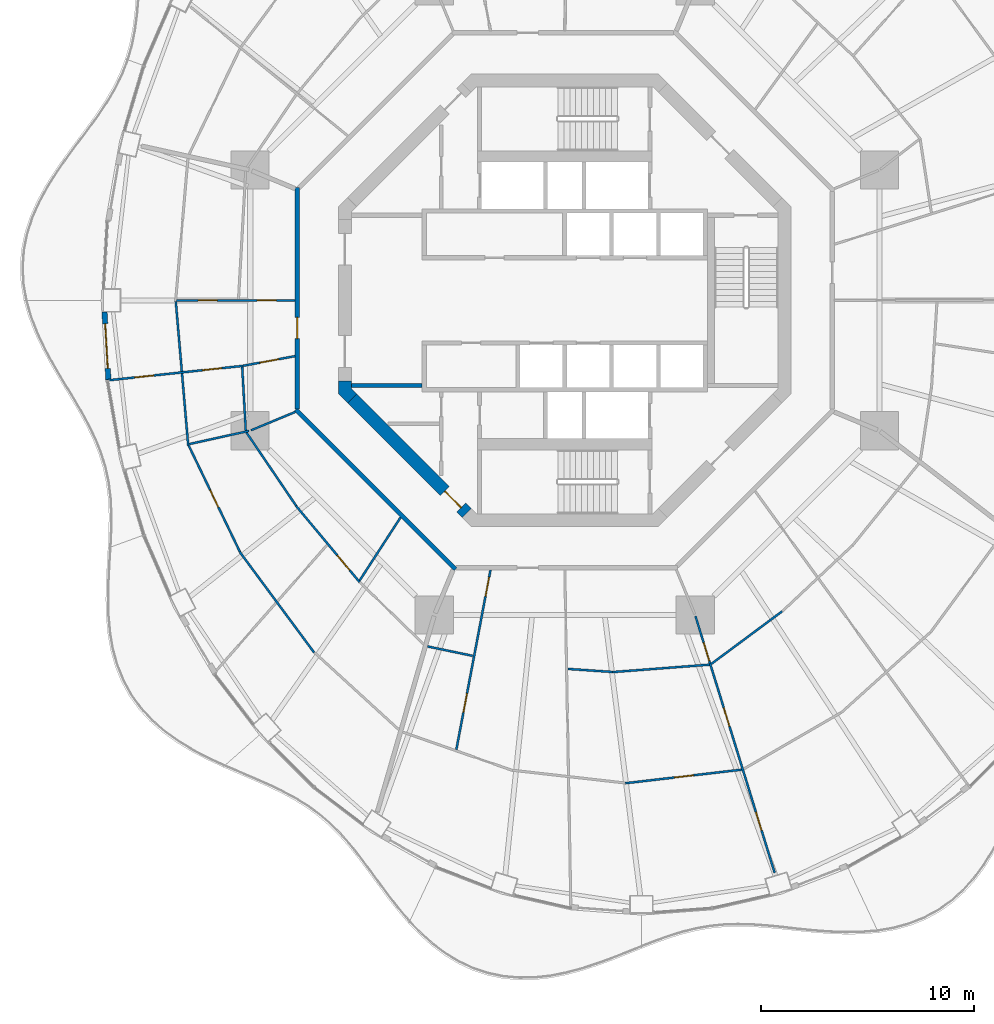
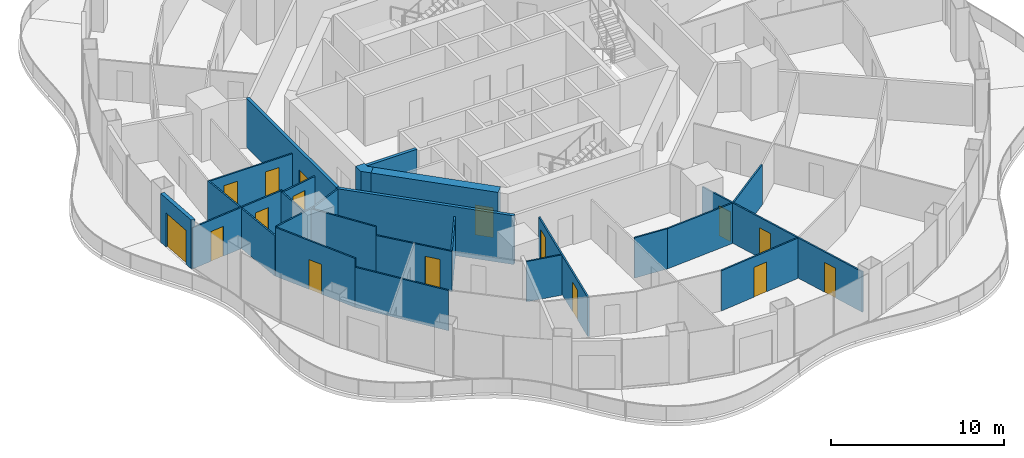
# One storey, part 11 of 19: 25 walls, 16 doors, 16 openings.
"""IFC4 building model written with IfcOpenShell, lengths in metres."""

from ifc_helpers import new_model, si_unit, direction, frame, frame_2d, origin, place, context, subcontext, project, spatial, polyline, rectangle, outline, extrude, material, layer, layer_set, type_object, element, fill, save


model = new_model("IFC4")

# Units and contexts
model_context = context("Model", 3, precision=1e-05, world=origin(), true_north=direction((0.0, 1.0)))
body_context = subcontext(model_context, "Body", "Model", "MODEL_VIEW")
ifc_project = project(units=[si_unit("LENGTHUNIT", "METRE"), si_unit("AREAUNIT", "SQUARE_METRE"), si_unit("VOLUMEUNIT", "CUBIC_METRE"), si_unit("PLANEANGLEUNIT", "RADIAN"), si_unit("MASSUNIT", "GRAM", prefix="KILO")], contexts=[model_context])

# Site, building, storey
site_placement = place(None, origin())
site = spatial("IfcSite", under=ifc_project, at=site_placement, CompositionType="ELEMENT")
building_placement = place(site_placement, origin())
building = spatial("IfcBuilding", under=site, at=building_placement, Name="Nagisa Residences", CompositionType="ELEMENT")
storey_placement = place(building_placement, frame((0.0, 0.0, 169.60009765625)))
storey = spatial("IfcBuildingStorey", under=building, at=storey_placement, Name="L42", CompositionType="ELEMENT", Elevation=169.60009765625)

# Wall, opening, door
ifc_material_1 = material(Name="Gypsum board on steel studs", Category="steel")
ifc_layer_1 = layer(ifc_material_1, 0.199951171875)
ifc_layer_set_1 = layer_set([ifc_layer_1], Name="Apartment entry wall EI60 200")
wall_type_1 = type_object("IfcWallType", Name="Apartment entry wall EI60 200", PredefinedType="PARTITIONING", material=ifc_layer_set_1)
wall_1_placement = place(storey_placement, frame((-12.564697265625, 5.304443359375, 0.0), z_axis=(0.0, 0.0, 1.0), x_axis=(0.0, -1.0, 0.0)))
wall_1 = element("IfcWall", 1, at=wall_1_placement, inside=storey, type_object=wall_type_1, Name="wall:L42:u12", PredefinedType="PARTITIONING", context=body_context, shape_type="SweptSolid", body=[
    extrude(rectangle(XDim=10.408935546875, YDim=0.199951171875, at=frame_2d((5.20458984375, 0.0))), origin(), (0.0, 0.0, 1.0), 3.43994140625),
])
opening_1_placement = place(wall_1_placement, frame((6.105712890625, 0.0, 0.0)))
opening_1 = element("IfcOpeningElement", 2, at=opening_1_placement, cuts=wall_1, Name="Opening L42-U28", PredefinedType="OPENING", context=body_context, shape_type="SweptSolid", body=[
    extrude(rectangle(XDim=1.0, YDim=2.10009765625, at=frame_2d((0.5, 1.050048828125))), frame((0.0, 0.10986328125, 0.0), z_axis=(0.0, -1.0, 0.0), x_axis=(1.0, 0.0, 0.0)), (0.0, 0.0, 1.0), 0.219970703125),
])
ifc_material_2 = material(Name="Timber fire door set", Category="wood")
door_type_1 = type_object("IfcDoorType", Name="Apartment entry door FD30S 1000x2100", OperationType="NOTDEFINED", PredefinedType="DOOR", material=ifc_material_2)
door_1_placement = place(opening_1_placement, frame((1.0, 0.0, 0.0), x_axis=(-1.0, 0.0, 0.0)))
door_1 = element("IfcDoor", 3, at=door_1_placement, inside=storey, type_object=door_type_1, Name="Entry door, Apartment 42C", OperationType="SINGLE_SWING_LEFT", OverallHeight=2.10009765625, OverallWidth=1.0, PredefinedType="DOOR", context=body_context, shape_type="SweptSolid", body=[
    extrude(rectangle(XDim=1.0, YDim=2.10009765625, at=frame_2d((0.5, 1.050048828125))), frame((0.0, 0.02490234375, 0.0), z_axis=(0.0, -1.0, 0.0), x_axis=(1.0, 0.0, 0.0)), (0.0, 0.0, 1.0), 0.050048828125),
])
fill(opening_1, door_1)

# Wall
wall_2_placement = place(storey_placement, frame((-12.635498046875, -5.1337890625, 0.0), z_axis=(0.0, 0.0, 1.0), x_axis=(0.707106781187, -0.707106781187, 0.0)))
element("IfcWall", 4, at=wall_2_placement, inside=storey, type_object=wall_type_1, Name="wall:L42:u13", PredefinedType="PARTITIONING", context=body_context, shape_type="SweptSolid", body=[
    extrude(rectangle(XDim=10.609130859375, YDim=0.199951171875, at=frame_2d((5.3046875, 0.0))), origin(), (0.0, 0.0, 1.0), 3.43994140625),
])

# Wall, openings, doors
ifc_material_3 = material(Name="Gypsum board on steel studs", Category="steel")
ifc_layer_2 = layer(ifc_material_3, 0.10009765625)
ifc_layer_set_2 = layer_set([ifc_layer_2], Name="Apartment partition 100")
wall_type_2 = type_object("IfcWallType", Name="Apartment partition 100", PredefinedType="PARTITIONING", material=ifc_layer_set_2)
wall_3_placement = place(storey_placement, frame((-12.664794921875, 0.0, 0.0), z_axis=(0.0, 0.0, 1.0), x_axis=(-1.0, 0.0, 0.0)))
wall_3 = element("IfcWall", 5, at=wall_3_placement, inside=storey, type_object=wall_type_2, Name="wall:L42:u55", PredefinedType="PARTITIONING", context=body_context, shape_type="SweptSolid", body=[
    extrude(rectangle(XDim=5.560302734375, YDim=0.10009765625, at=frame_2d((2.7802734375, 0.0))), origin(), (0.0, 0.0, 1.0), 2.755859375),
])
opening_2_placement = place(wall_3_placement, frame((0.881591796875, 0.0, 0.0)))
opening_2 = element("IfcOpeningElement", 6, at=opening_2_placement, cuts=wall_3, Name="Opening L42-U29", PredefinedType="OPENING", context=body_context, shape_type="SweptSolid", body=[
    extrude(rectangle(XDim=0.89990234375, YDim=2.10009765625, at=frame_2d((0.449951171875, 1.050048828125))), frame((0.0, 0.06005859375, 0.0), z_axis=(0.0, -1.0, 0.0), x_axis=(1.0, 0.0, 0.0)), (0.0, 0.0, 1.0), 0.1201171875),
])
opening_3_placement = place(wall_3_placement, frame((3.66162109375, 0.0, 0.0)))
opening_3 = element("IfcOpeningElement", 7, at=opening_3_placement, cuts=wall_3, Name="Opening L42-U31", PredefinedType="OPENING", context=body_context, shape_type="SweptSolid", body=[
    extrude(rectangle(XDim=0.89990234375, YDim=2.10009765625, at=frame_2d((0.449951171875, 1.050048828125))), frame((0.0, 0.06005859375, 0.0), z_axis=(0.0, -1.0, 0.0), x_axis=(1.0, 0.0, 0.0)), (0.0, 0.0, 1.0), 0.1201171875),
])
ifc_material_4 = material(Name="Timber door set", Category="wood")
door_type_2 = type_object("IfcDoorType", Name="Apartment door 900x2100", OperationType="NOTDEFINED", PredefinedType="DOOR", material=ifc_material_4)
door_2_placement = place(opening_2_placement, frame((0.89990234375, 0.0, 0.0), x_axis=(-1.0, 0.0, 0.0)))
door_2 = element("IfcDoor", 8, at=door_2_placement, inside=storey, type_object=door_type_2, Name="Door to laundry, Apartment 42C", OperationType="SINGLE_SWING_RIGHT", OverallHeight=2.10009765625, OverallWidth=0.89990234375, PredefinedType="DOOR", context=body_context, shape_type="SweptSolid", body=[
    extrude(rectangle(XDim=0.89990234375, YDim=2.10009765625, at=frame_2d((0.449951171875, 1.050048828125))), frame((0.0, 0.02490234375, 0.0), z_axis=(0.0, -1.0, 0.0), x_axis=(1.0, 0.0, 0.0)), (0.0, 0.0, 1.0), 0.050048828125),
])
fill(opening_2, door_2)
door_3_placement = place(opening_3_placement, frame((0.89990234375, 0.0, 0.0), x_axis=(-1.0, 0.0, 0.0)))
door_3 = element("IfcDoor", 9, at=door_3_placement, inside=storey, type_object=door_type_2, Name="Door to study, Apartment 42C", OperationType="SINGLE_SWING_RIGHT", OverallHeight=2.10009765625, OverallWidth=0.89990234375, PredefinedType="DOOR", context=body_context, shape_type="SweptSolid", body=[
    extrude(rectangle(XDim=0.89990234375, YDim=2.10009765625, at=frame_2d((0.449951171875, 1.050048828125))), frame((0.0, 0.02490234375, 0.0), z_axis=(0.0, -1.0, 0.0), x_axis=(1.0, 0.0, 0.0)), (0.0, 0.0, 1.0), 0.050048828125),
])
fill(opening_3, door_3)

# Wall
wall_4_placement = place(storey_placement, frame((-18.270751953125, -0.0498046875, 0.0), z_axis=(0.0, 0.0, 1.0), x_axis=(0.086018199227, -0.996293565874, 0.0)))
element("IfcWall", 10, at=wall_4_placement, inside=storey, type_object=wall_type_2, Name="wall:L42:u56", PredefinedType="PARTITIONING", context=body_context, shape_type="SweptSolid", body=[
    extrude(rectangle(XDim=6.7890625, YDim=0.10009765625, at=frame_2d((3.39453125, 0.0))), origin(), (0.0, 0.0, 1.0), 2.8369140625),
])

# Wall, opening, door
wall_5_placement = place(storey_placement, frame((-12.6630859375, -2.62060546875, 0.0), z_axis=(0.0, 0.0, 1.0), x_axis=(-0.983176884312, -0.182655999505, 0.0)))
wall_5 = element("IfcWall", 11, at=wall_5_placement, inside=storey, type_object=wall_type_2, Name="wall:L42:u57", PredefinedType="PARTITIONING", context=body_context, shape_type="SweptSolid", body=[
    extrude(rectangle(XDim=2.4833984375, YDim=0.10009765625, at=frame_2d((1.24169921875, 0.0))), origin(), (0.0, 0.0, 1.0), 2.755859375),
])
opening_4_placement = place(wall_5_placement, frame((0.791748046875, 0.0, 0.0)))
opening_4 = element("IfcOpeningElement", 12, at=opening_4_placement, cuts=wall_5, Name="Opening L42-U30", PredefinedType="OPENING", context=body_context, shape_type="SweptSolid", body=[
    extrude(rectangle(XDim=0.89990234375, YDim=2.10009765625, at=frame_2d((0.449951171875, 1.050048828125))), frame((0.0, 0.06005859375, 0.0), z_axis=(0.0, -1.0, 0.0), x_axis=(1.0, 0.0, 0.0)), (0.0, 0.0, 1.0), 0.1201171875),
])
door_4_placement = place(opening_4_placement, origin())
door_4 = element("IfcDoor", 13, at=door_4_placement, inside=storey, type_object=door_type_2, Name="Door to family bathroom, Apartment 42C", OperationType="SINGLE_SWING_RIGHT", OverallHeight=2.10009765625, OverallWidth=0.89990234375, PredefinedType="DOOR", context=body_context, shape_type="SweptSolid", body=[
    extrude(rectangle(XDim=0.89990234375, YDim=2.10009765625, at=frame_2d((0.449951171875, 1.050048828125))), frame((0.0, 0.02490234375, 0.0), z_axis=(0.0, -1.0, 0.0), x_axis=(1.0, 0.0, 0.0)), (0.0, 0.0, 1.0), 0.050048828125),
])
fill(opening_4, door_4)

# Wall, openings, doors
wall_6_placement = place(storey_placement, frame((-15.104248046875, -3.077880859375, 0.0), z_axis=(0.0, 0.0, 1.0), x_axis=(-0.994316167803, -0.106467640365, 0.0)))
wall_6 = element("IfcWall", 14, at=wall_6_placement, inside=storey, type_object=wall_type_2, Name="wall:L42:u58", PredefinedType="PARTITIONING", context=body_context, shape_type="SweptSolid", body=[
    extrude(rectangle(XDim=6.450439453125, YDim=0.10009765625, at=frame_2d((3.22509765625, 0.0))), origin(), (0.0, 0.0, 1.0), 2.90478515625),
])
opening_5_placement = place(wall_6_placement, frame((1.0224609375, 0.0, 0.0)))
opening_5 = element("IfcOpeningElement", 15, at=opening_5_placement, cuts=wall_6, Name="Opening L42-U32", PredefinedType="OPENING", context=body_context, shape_type="SweptSolid", body=[
    extrude(rectangle(XDim=0.89990234375, YDim=2.10009765625, at=frame_2d((0.449951171875, 1.050048828125))), frame((0.0, 0.06005859375, 0.0), z_axis=(0.0, -1.0, 0.0), x_axis=(1.0, 0.0, 0.0)), (0.0, 0.0, 1.0), 0.1201171875),
])
opening_6_placement = place(wall_6_placement, frame((4.222900390625, 0.0, 0.0)))
opening_6 = element("IfcOpeningElement", 16, at=opening_6_placement, cuts=wall_6, Name="Opening L42-U34", PredefinedType="OPENING", context=body_context, shape_type="SweptSolid", body=[
    extrude(rectangle(XDim=0.89990234375, YDim=2.10009765625, at=frame_2d((0.449951171875, 1.050048828125))), frame((0.0, 0.06005859375, 0.0), z_axis=(0.0, -1.0, 0.0), x_axis=(1.0, 0.0, 0.0)), (0.0, 0.0, 1.0), 0.1201171875),
])
door_5_placement = place(opening_5_placement, origin())
door_5 = element("IfcDoor", 17, at=door_5_placement, inside=storey, type_object=door_type_2, Name="Door to family bathroom, Apartment 42C", OperationType="SINGLE_SWING_RIGHT", OverallHeight=2.10009765625, OverallWidth=0.89990234375, PredefinedType="DOOR", context=body_context, shape_type="SweptSolid", body=[
    extrude(rectangle(XDim=0.89990234375, YDim=2.10009765625, at=frame_2d((0.449951171875, 1.050048828125))), frame((0.0, 0.02490234375, 0.0), z_axis=(0.0, -1.0, 0.0), x_axis=(1.0, 0.0, 0.0)), (0.0, 0.0, 1.0), 0.050048828125),
])
fill(opening_5, door_5)
door_6_placement = place(opening_6_placement, origin())
door_6 = element("IfcDoor", 18, at=door_6_placement, inside=storey, type_object=door_type_2, Name="Door to living room, Apartment 42C", OperationType="SINGLE_SWING_RIGHT", OverallHeight=2.10009765625, OverallWidth=0.89990234375, PredefinedType="DOOR", context=body_context, shape_type="SweptSolid", body=[
    extrude(rectangle(XDim=0.89990234375, YDim=2.10009765625, at=frame_2d((0.449951171875, 1.050048828125))), frame((0.0, 0.02490234375, 0.0), z_axis=(0.0, -1.0, 0.0), x_axis=(1.0, 0.0, 0.0)), (0.0, 0.0, 1.0), 0.050048828125),
])
fill(opening_6, door_6)

# Walls
wall_7_placement = place(storey_placement, frame((-15.151123046875, -3.13330078125, 0.0), z_axis=(0.0, 0.0, 1.0), x_axis=(0.05637501378, -0.998409664327, 0.0)))
element("IfcWall", 19, at=wall_7_placement, inside=storey, type_object=wall_type_2, Name="wall:L42:u59", PredefinedType="PARTITIONING", context=body_context, shape_type="SweptSolid", body=[
    extrude(rectangle(XDim=2.988037109375, YDim=0.10009765625, at=frame_2d((1.494140625, 0.0))), origin(), (0.0, 0.0, 1.0), 2.8369140625),
])
wall_8_placement = place(storey_placement, frame((-12.6572265625, -5.24267578125, 0.0), z_axis=(0.0, 0.0, 1.0), x_axis=(-0.923848837015, -0.382757529444, 0.0)))
element("IfcWall", 20, at=wall_8_placement, inside=storey, type_object=wall_type_2, Name="wall:L42:u60", PredefinedType="PARTITIONING", context=body_context, shape_type="SweptSolid", body=[
    extrude(rectangle(XDim=2.249755859375, YDim=0.10009765625, at=frame_2d((1.125, 0.0))), origin(), (0.0, 0.0, 1.0), 3.43994140625),
])
wall_9_placement = place(storey_placement, frame((-14.830810546875, -6.133544921875, 0.0), z_axis=(0.0, 0.0, 1.0), x_axis=(-0.976560749847, -0.215241961191, 0.0)))
element("IfcWall", 21, at=wall_9_placement, inside=storey, type_object=wall_type_2, Name="wall:L42:u61", PredefinedType="PARTITIONING", context=body_context, shape_type="SweptSolid", body=[
    extrude(rectangle(XDim=2.878662109375, YDim=0.10009765625, at=frame_2d((1.439453125, 0.0))), origin(), (0.0, 0.0, 1.0), 3.43994140625),
])
wall_10_placement = place(storey_placement, frame((-14.951904296875, -6.2080078125, 0.0), z_axis=(0.0, 0.0, 1.0), x_axis=(0.561064907171, -0.827771810308, 0.0)))
element("IfcWall", 22, at=wall_10_placement, inside=storey, type_object=wall_type_2, Name="wall:L42:u62", PredefinedType="PARTITIONING", context=body_context, shape_type="SweptSolid", body=[
    extrude(rectangle(XDim=4.15869140625, YDim=0.10009765625, at=frame_2d((2.079345703125, 0.0))), origin(), (0.0, 0.0, 1.0), 3.43994140625),
])

# Wall, opening, door
wall_11_placement = place(storey_placement, frame((-17.669189453125, -6.80908203125, 0.0), z_axis=(0.0, 0.0, 1.0), x_axis=(0.434040130629, -0.900893536997, 0.0)))
wall_11 = element("IfcWall", 23, at=wall_11_placement, inside=storey, type_object=wall_type_2, Name="wall:L42:u63", PredefinedType="PARTITIONING", context=body_context, shape_type="SweptSolid", body=[
    extrude(rectangle(XDim=5.557861328125, YDim=0.10009765625, at=frame_2d((2.77880859375, 0.0))), origin(), (0.0, 0.0, 1.0), 3.43994140625),
])
opening_7_placement = place(wall_11_placement, frame((2.3291015625, 0.0, 0.0)))
opening_7 = element("IfcOpeningElement", 24, at=opening_7_placement, cuts=wall_11, Name="Opening L42-U36", PredefinedType="OPENING", context=body_context, shape_type="SweptSolid", body=[
    extrude(rectangle(XDim=0.89990234375, YDim=2.10009765625, at=frame_2d((0.449951171875, 1.050048828125))), frame((0.0, 0.06005859375, 0.0), z_axis=(0.0, -1.0, 0.0), x_axis=(1.0, 0.0, 0.0)), (0.0, 0.0, 1.0), 0.1201171875),
])
door_7_placement = place(opening_7_placement, origin())
door_7 = element("IfcDoor", 25, at=door_7_placement, inside=storey, type_object=door_type_2, Name="Door to study, Apartment 42C", OperationType="SINGLE_SWING_RIGHT", OverallHeight=2.10009765625, OverallWidth=0.89990234375, PredefinedType="DOOR", context=body_context, shape_type="SweptSolid", body=[
    extrude(rectangle(XDim=0.89990234375, YDim=2.10009765625, at=frame_2d((0.449951171875, 1.050048828125))), frame((0.0, 0.02490234375, 0.0), z_axis=(0.0, -1.0, 0.0), x_axis=(1.0, 0.0, 0.0)), (0.0, 0.0, 1.0), 0.050048828125),
])
fill(opening_7, door_7)

wall_12_placement = place(storey_placement, frame((-12.62255859375, -9.6533203125, 0.0), z_axis=(0.0, 0.0, 1.0), x_axis=(0.640297481347, -0.768127030758, 0.0)))
wall_12 = element("IfcWall", 26, at=wall_12_placement, inside=storey, type_object=wall_type_2, Name="wall:L42:u64", PredefinedType="PARTITIONING", context=body_context, shape_type="SweptSolid", body=[
    extrude(rectangle(XDim=4.671630859375, YDim=0.10009765625, at=frame_2d((2.3359375, 0.0))), origin(), (0.0, 0.0, 1.0), 2.8369140625),
])
opening_8_placement = place(wall_12_placement, frame((3.028564453125, 0.0, 0.0)))
opening_8 = element("IfcOpeningElement", 27, at=opening_8_placement, cuts=wall_12, Name="Opening L42-U38", PredefinedType="OPENING", context=body_context, shape_type="SweptSolid", body=[
    extrude(rectangle(XDim=0.89990234375, YDim=2.10009765625, at=frame_2d((0.449951171875, 1.050048828125))), frame((0.0, 0.06005859375, 0.0), z_axis=(0.0, -1.0, 0.0), x_axis=(1.0, 0.0, 0.0)), (0.0, 0.0, 1.0), 0.1201171875),
])
door_8_placement = place(opening_8_placement, origin())
door_8 = element("IfcDoor", 28, at=door_8_placement, inside=storey, type_object=door_type_2, Name="Door to store, Apartment 42C", OperationType="SINGLE_SWING_RIGHT", OverallHeight=2.10009765625, OverallWidth=0.89990234375, PredefinedType="DOOR", context=body_context, shape_type="SweptSolid", body=[
    extrude(rectangle(XDim=0.89990234375, YDim=2.10009765625, at=frame_2d((0.449951171875, 1.050048828125))), frame((0.0, 0.02490234375, 0.0), z_axis=(0.0, -1.0, 0.0), x_axis=(1.0, 0.0, 0.0)), (0.0, 0.0, 1.0), 0.050048828125),
])
fill(opening_8, door_8)

# Walls
wall_13_placement = place(storey_placement, frame((-15.264892578125, -11.821044921875, 0.0), z_axis=(0.0, 0.0, 1.0), x_axis=(0.594711348772, -0.803939308432, 0.0)))
element("IfcWall", 29, at=wall_13_placement, inside=storey, type_object=wall_type_2, Name="wall:L42:u65", PredefinedType="PARTITIONING", context=body_context, shape_type="SweptSolid", body=[
    extrude(rectangle(XDim=5.87158203125, YDim=0.10009765625, at=frame_2d((2.935791015625, 0.0))), origin(), (0.0, 0.0, 1.0), 2.8369140625),
])
wall_14_placement = place(storey_placement, frame((-7.71240234375, -10.1953125, 0.0), z_axis=(0.0, 0.0, 1.0), x_axis=(-0.544170086001, -0.838974920663, 0.0)))
element("IfcWall", 30, at=wall_14_placement, inside=storey, type_object=wall_type_2, Name="wall:L42:u67", PredefinedType="PARTITIONING", context=body_context, shape_type="SweptSolid", body=[
    extrude(rectangle(XDim=3.535400390625, YDim=0.10009765625, at=frame_2d((1.767578125, 0.0))), origin(), (0.0, 0.0, 1.0), 2.755859375),
])
wall_15_placement = place(storey_placement, frame((-6.446533203125, -16.25634765625, 0.0), z_axis=(0.0, 0.0, 1.0), x_axis=(0.978909151576, -0.204296042448, 0.0)))
element("IfcWall", 31, at=wall_15_placement, inside=storey, type_object=wall_type_2, Name="wall:L42:u70", PredefinedType="PARTITIONING", context=body_context, shape_type="SweptSolid", body=[
    extrude(rectangle(XDim=2.167724609375, YDim=0.10009765625, at=frame_2d((1.083984375, 0.0))), origin(), (0.0, 0.0, 1.0), 2.8369140625),
])

# Wall, openings, doors
wall_16_placement = place(storey_placement, frame((-3.48828125, -12.6630859375, 0.0), z_axis=(0.0, 0.0, 1.0), x_axis=(-0.186783185485, -0.982401161247, 0.0)))
wall_16 = element("IfcWall", 32, at=wall_16_placement, inside=storey, type_object=wall_type_2, Name="wall:L42:u72", PredefinedType="PARTITIONING", context=body_context, shape_type="SweptSolid", body=[
    extrude(rectangle(XDim=8.595458984375, YDim=0.10009765625, at=frame_2d((4.2978515625, 0.0))), origin(), (0.0, 0.0, 1.0), 2.755859375),
])
opening_9_placement = place(wall_16_placement, frame((0.35009765625, 0.0, 0.0)))
opening_9 = element("IfcOpeningElement", 33, at=opening_9_placement, cuts=wall_16, Name="Opening L42-U41", PredefinedType="OPENING", context=body_context, shape_type="SweptSolid", body=[
    extrude(rectangle(XDim=0.89990234375, YDim=2.10009765625, at=frame_2d((0.449951171875, 1.050048828125))), frame((0.0, 0.06005859375, 0.0), z_axis=(0.0, -1.0, 0.0), x_axis=(1.0, 0.0, 0.0)), (0.0, 0.0, 1.0), 0.1201171875),
])
opening_10_placement = place(wall_16_placement, frame((5.908447265625, 0.0, 0.0)))
opening_10 = element("IfcOpeningElement", 34, at=opening_10_placement, cuts=wall_16, Name="Opening L42-U45", PredefinedType="OPENING", context=body_context, shape_type="SweptSolid", body=[
    extrude(rectangle(XDim=0.89990234375, YDim=2.10009765625, at=frame_2d((0.449951171875, 1.050048828125))), frame((0.0, 0.06005859375, 0.0), z_axis=(0.0, -1.0, 0.0), x_axis=(1.0, 0.0, 0.0)), (0.0, 0.0, 1.0), 0.1201171875),
])
door_9_placement = place(opening_9_placement, frame((0.89990234375, 0.0, 0.0), x_axis=(-1.0, 0.0, 0.0)))
door_9 = element("IfcDoor", 35, at=door_9_placement, inside=storey, type_object=door_type_2, Name="Door to family bathroom, Apartment 42D", OperationType="SINGLE_SWING_RIGHT", OverallHeight=2.10009765625, OverallWidth=0.89990234375, PredefinedType="DOOR", context=body_context, shape_type="SweptSolid", body=[
    extrude(rectangle(XDim=0.89990234375, YDim=2.10009765625, at=frame_2d((0.449951171875, 1.050048828125))), frame((0.0, 0.02490234375, 0.0), z_axis=(0.0, -1.0, 0.0), x_axis=(1.0, 0.0, 0.0)), (0.0, 0.0, 1.0), 0.050048828125),
])
fill(opening_9, door_9)
door_10_placement = place(opening_10_placement, frame((0.89990234375, 0.0, 0.0), x_axis=(-1.0, 0.0, 0.0)))
door_10 = element("IfcDoor", 36, at=door_10_placement, inside=storey, type_object=door_type_2, Name="Door to family bathroom, Apartment 42D", OperationType="SINGLE_SWING_RIGHT", OverallHeight=2.10009765625, OverallWidth=0.89990234375, PredefinedType="DOOR", context=body_context, shape_type="SweptSolid", body=[
    extrude(rectangle(XDim=0.89990234375, YDim=2.10009765625, at=frame_2d((0.449951171875, 1.050048828125))), frame((0.0, 0.02490234375, 0.0), z_axis=(0.0, -1.0, 0.0), x_axis=(1.0, 0.0, 0.0)), (0.0, 0.0, 1.0), 0.050048828125),
])
fill(opening_10, door_10)

# Walls
wall_17_placement = place(storey_placement, frame((0.144775390625, -17.313720703125, 0.0), z_axis=(0.0, 0.0, 1.0), x_axis=(0.997756833447, -0.06694252243, 0.0)))
element("IfcWall", 37, at=wall_17_placement, inside=storey, type_object=wall_type_2, Name="wall:L42:u75", PredefinedType="PARTITIONING", context=body_context, shape_type="SweptSolid", body=[
    extrude(rectangle(XDim=2.104248046875, YDim=0.10009765625, at=frame_2d((1.05224609375, 0.0))), origin(), (0.0, 0.0, 1.0), 2.8369140625),
])
wall_18_placement = place(storey_placement, frame((2.24462890625, -17.461669921875, 0.0), z_axis=(0.0, 0.0, 1.0), x_axis=(0.997077117727, 0.07640171009, 0.0)))
element("IfcWall", 38, at=wall_18_placement, inside=storey, type_object=wall_type_2, Name="wall:L42:u76", PredefinedType="PARTITIONING", context=body_context, shape_type="SweptSolid", body=[
    extrude(rectangle(XDim=4.56005859375, YDim=0.10009765625, at=frame_2d((2.280029296875, 0.0))), origin(), (0.0, 0.0, 1.0), 2.8369140625),
])

# Wall, opening, door
wall_19_placement = place(storey_placement, frame((2.841552734375, -22.682861328125, 0.0), z_axis=(0.0, 0.0, 1.0), x_axis=(0.993248590259, 0.116005335864, 0.0)))
wall_19 = element("IfcWall", 39, at=wall_19_placement, inside=storey, type_object=wall_type_2, Name="wall:L42:u77", PredefinedType="PARTITIONING", context=body_context, shape_type="SweptSolid", body=[
    extrude(rectangle(XDim=5.507568359375, YDim=0.10009765625, at=frame_2d((2.75390625, 0.0))), origin(), (0.0, 0.0, 1.0), 2.8369140625),
])
opening_11_placement = place(wall_19_placement, frame((2.328857421875, 0.0, 0.0)))
opening_11 = element("IfcOpeningElement", 40, at=opening_11_placement, cuts=wall_19, Name="Opening L42-U50", PredefinedType="OPENING", context=body_context, shape_type="SweptSolid", body=[
    extrude(rectangle(XDim=0.89990234375, YDim=2.10009765625, at=frame_2d((0.449951171875, 1.050048828125))), frame((0.0, 0.06005859375, 0.0), z_axis=(0.0, -1.0, 0.0), x_axis=(1.0, 0.0, 0.0)), (0.0, 0.0, 1.0), 0.1201171875),
])
door_11_placement = place(opening_11_placement, frame((0.89990234375, 0.0, 0.0), x_axis=(-1.0, 0.0, 0.0)))
door_11 = element("IfcDoor", 41, at=door_11_placement, inside=storey, type_object=door_type_2, Name="Door to living room, Apartment 42D", OperationType="SINGLE_SWING_LEFT", OverallHeight=2.10009765625, OverallWidth=0.89990234375, PredefinedType="DOOR", context=body_context, shape_type="SweptSolid", body=[
    extrude(rectangle(XDim=0.89990234375, YDim=2.10009765625, at=frame_2d((0.449951171875, 1.050048828125))), frame((0.0, 0.02490234375, 0.0), z_axis=(0.0, -1.0, 0.0), x_axis=(1.0, 0.0, 0.0)), (0.0, 0.0, 1.0), 0.050048828125),
])
fill(opening_11, door_11)

# Wall, openings, doors
wall_20_placement = place(storey_placement, frame((6.1376953125, -14.829833984375, 0.0), z_axis=(0.0, 0.0, 1.0), x_axis=(0.294818517221, -0.955553264818, 0.0)))
wall_20 = element("IfcWall", 42, at=wall_20_placement, inside=storey, type_object=wall_type_2, Name="wall:L42:u79", PredefinedType="PARTITIONING", context=body_context, shape_type="SweptSolid", body=[
    extrude(rectangle(XDim=12.619384765625, YDim=0.10009765625, at=frame_2d((6.3095703125, 0.0))), origin(), (0.0, 0.0, 1.0), 2.8369140625),
])
opening_12_placement = place(wall_20_placement, frame((1.3056640625, 0.0, 0.0)))
opening_12 = element("IfcOpeningElement", 43, at=opening_12_placement, cuts=wall_20, Name="Opening L42-U43", PredefinedType="OPENING", context=body_context, shape_type="SweptSolid", body=[
    extrude(rectangle(XDim=0.89990234375, YDim=2.10009765625, at=frame_2d((0.449951171875, 1.050048828125))), frame((0.0, 0.06005859375, 0.0), z_axis=(0.0, -1.0, 0.0), x_axis=(1.0, 0.0, 0.0)), (0.0, 0.0, 1.0), 0.1201171875),
])
opening_13_placement = place(wall_20_placement, frame((4.5146484375, 0.0, 0.0)))
opening_13 = element("IfcOpeningElement", 44, at=opening_13_placement, cuts=wall_20, Name="Opening L42-U47", PredefinedType="OPENING", context=body_context, shape_type="SweptSolid", body=[
    extrude(rectangle(XDim=0.89990234375, YDim=2.10009765625, at=frame_2d((0.449951171875, 1.050048828125))), frame((0.0, 0.06005859375, 0.0), z_axis=(0.0, -1.0, 0.0), x_axis=(1.0, 0.0, 0.0)), (0.0, 0.0, 1.0), 0.1201171875),
])
opening_14_placement = place(wall_20_placement, frame((9.631591796875, 0.0, 0.0)))
opening_14 = element("IfcOpeningElement", 45, at=opening_14_placement, cuts=wall_20, Name="Opening L42-U51", PredefinedType="OPENING", context=body_context, shape_type="SweptSolid", body=[
    extrude(rectangle(XDim=0.89990234375, YDim=2.10009765625, at=frame_2d((0.449951171875, 1.050048828125))), frame((0.0, 0.06005859375, 0.0), z_axis=(0.0, -1.0, 0.0), x_axis=(1.0, 0.0, 0.0)), (0.0, 0.0, 1.0), 0.1201171875),
])
door_12_placement = place(opening_12_placement, origin())
door_12 = element("IfcDoor", 46, at=door_12_placement, inside=storey, type_object=door_type_2, Name="Door to store, Apartment 42D", OperationType="SINGLE_SWING_LEFT", OverallHeight=2.10009765625, OverallWidth=0.89990234375, PredefinedType="DOOR", context=body_context, shape_type="SweptSolid", body=[
    extrude(rectangle(XDim=0.89990234375, YDim=2.10009765625, at=frame_2d((0.449951171875, 1.050048828125))), frame((0.0, 0.02490234375, 0.0), z_axis=(0.0, -1.0, 0.0), x_axis=(1.0, 0.0, 0.0)), (0.0, 0.0, 1.0), 0.050048828125),
])
fill(opening_12, door_12)
door_13_placement = place(opening_13_placement, origin())
door_13 = element("IfcDoor", 47, at=door_13_placement, inside=storey, type_object=door_type_2, Name="Door to dining room, Apartment 42D", OperationType="SINGLE_SWING_LEFT", OverallHeight=2.10009765625, OverallWidth=0.89990234375, PredefinedType="DOOR", context=body_context, shape_type="SweptSolid", body=[
    extrude(rectangle(XDim=0.89990234375, YDim=2.10009765625, at=frame_2d((0.449951171875, 1.050048828125))), frame((0.0, 0.02490234375, 0.0), z_axis=(0.0, -1.0, 0.0), x_axis=(1.0, 0.0, 0.0)), (0.0, 0.0, 1.0), 0.050048828125),
])
fill(opening_13, door_13)
door_14_placement = place(opening_14_placement, origin())
door_14 = element("IfcDoor", 48, at=door_14_placement, inside=storey, type_object=door_type_2, Name="Door to master bedroom, Apartment 42D", OperationType="SINGLE_SWING_LEFT", OverallHeight=2.10009765625, OverallWidth=0.89990234375, PredefinedType="DOOR", context=body_context, shape_type="SweptSolid", body=[
    extrude(rectangle(XDim=0.89990234375, YDim=2.10009765625, at=frame_2d((0.449951171875, 1.050048828125))), frame((0.0, 0.02490234375, 0.0), z_axis=(0.0, -1.0, 0.0), x_axis=(1.0, 0.0, 0.0)), (0.0, 0.0, 1.0), 0.050048828125),
])
fill(opening_14, door_14)

# Wall
wall_21_placement = place(storey_placement, frame((6.881103515625, -17.07958984375, 0.0), z_axis=(0.0, 0.0, 1.0), x_axis=(0.802784956441, 0.596268659005, 0.0)))
element("IfcWall", 49, at=wall_21_placement, inside=storey, type_object=wall_type_2, Name="wall:L42:u80", PredefinedType="PARTITIONING", context=body_context, shape_type="SweptSolid", body=[
    extrude(rectangle(XDim=4.142333984375, YDim=0.10009765625, at=frame_2d((2.0712890625, 0.0))), origin(), (0.0, 0.0, 1.0), 2.8369140625),
])

# Wall, opening, door
ifc_material_5 = material(Name="Precast concrete C40/50", Category="concrete")
ifc_layer_3 = layer(ifc_material_5, 0.25)
ifc_layer_set_3 = layer_set([ifc_layer_3], Name="BALCONY DOOR WALL 250")
wall_type_3 = type_object("IfcWallType", Name="BALCONY DOOR WALL 250", PredefinedType="SOLIDWALL", material=ifc_layer_set_3)
wall_22_placement = place(storey_placement, frame((-21.43310546875, -3.76171875, 0.0), z_axis=(0.0, 0.0, 1.0), x_axis=(-0.057532692854, 0.998343622834, 0.0)))
wall_22 = element("IfcWall", 50, at=wall_22_placement, inside=storey, type_object=wall_type_3, Name="wall:L42:bay24", PredefinedType="SOLIDWALL", context=body_context, shape_type="SweptSolid", body=[
    extrude(rectangle(XDim=3.22509765625, YDim=0.25, at=frame_2d((1.612548828125, 0.0))), origin(), (0.0, 0.0, 1.0), 3.43994140625),
])
opening_15_placement = place(wall_22_placement, frame((0.5625, 0.0, 0.0)))
opening_15 = element("IfcOpeningElement", 51, at=opening_15_placement, cuts=wall_22, Name="Opening BD-L42-09", PredefinedType="OPENING", context=body_context, shape_type="SweptSolid", body=[
    extrude(rectangle(XDim=2.10009765625, YDim=2.39990234375, at=frame_2d((1.050048828125, 1.199951171875))), frame((0.0, 0.135009765625, 0.0), z_axis=(0.0, -1.0, 0.0), x_axis=(1.0, 0.0, 0.0)), (0.0, 0.0, 1.0), 0.27001953125),
])
ifc_material_6 = material(Name="Aluminium and clear glass", Category="aluminium")
door_type_3 = type_object("IfcDoorType", Name="BALCONY SLIDING DOOR 2100x2400", OperationType="SLIDING_TO_LEFT", PredefinedType="DOOR", material=ifc_material_6)
door_15_placement = place(opening_15_placement, origin())
door_15 = element("IfcDoor", 52, at=door_15_placement, inside=storey, type_object=door_type_3, Name="door:L42:bay24", OperationType="SLIDING_TO_LEFT", OverallHeight=2.39990234375, OverallWidth=2.10009765625, PredefinedType="DOOR", context=body_context, shape_type="SweptSolid", body=[
    extrude(rectangle(XDim=2.10009765625, YDim=2.39990234375, at=frame_2d((1.050048828125, 1.199951171875))), frame((0.0, 0.02490234375, 0.0), z_axis=(0.0, -1.0, 0.0), x_axis=(1.0, 0.0, 0.0)), (0.0, 0.0, 1.0), 0.050048828125),
])
fill(opening_15, door_15)

# Wall
ifc_material_7 = material(Name="Gypsum board on steel studs", Category="steel")
ifc_layer_4 = layer(ifc_material_7, 0.199951171875)
ifc_layer_set_4 = layer_set([ifc_layer_4], Name="Core partition 200")
wall_type_4 = type_object("IfcWallType", Name="Core partition 200", PredefinedType="PARTITIONING", material=ifc_layer_set_4)
wall_23_placement = place(storey_placement, frame((-10.024658203125, -4.0, 0.0), z_axis=(0.0, 0.0, 1.0), x_axis=(1.0, 0.0, 0.0)))
element("IfcWall", 53, at=wall_23_placement, inside=storey, type_object=wall_type_4, Name="wall:L42:PSW", PredefinedType="PARTITIONING", context=body_context, shape_type="SweptSolid", body=[
    extrude(rectangle(XDim=3.32470703125, YDim=0.199951171875, at=frame_2d((1.662353515625, 0.0))), origin(), (0.0, 0.0, 1.0), 3.43994140625),
])

# Wall, opening, door
ifc_material_8 = material(Name="Concrete C60", Category="concrete")
ifc_layer_5 = layer(ifc_material_8, 0.60009765625)
ifc_layer_set_5 = layer_set([ifc_layer_5], Name="Core shear wall 600")
wall_type_5 = type_object("IfcWallType", Name="Core shear wall 600", PredefinedType="SHEAR", material=ifc_layer_set_5)
wall_24_placement = place(storey_placement, frame((-9.98828125, -4.613037109375, 0.0), z_axis=(0.0, 0.0, 1.0), x_axis=(0.707106781187, -0.707106781187, 0.0)))
wall_24 = element("IfcWall", 54, at=wall_24_placement, inside=storey, type_object=wall_type_5, Name="wall:L42:core:flat5", PredefinedType="SHEAR", context=body_context, shape_type="SweptSolid", body=[
    extrude(rectangle(XDim=7.601806640625, YDim=0.60009765625, at=frame_2d((3.80078125, 0.0))), origin(), (0.0, 0.0, 1.0), 3.43994140625),
])
opening_16_placement = place(wall_24_placement, frame((6.15087890625, 0.0, 0.0)))
opening_16 = element("IfcOpeningElement", 55, at=opening_16_placement, cuts=wall_24, Name="Opening L42-C22", PredefinedType="OPENING", context=body_context, shape_type="SweptSolid", body=[
    extrude(rectangle(XDim=1.10009765625, YDim=2.10009765625, at=frame_2d((0.550048828125, 1.050048828125))), frame((0.0, 0.31005859375, 0.0), z_axis=(0.0, -1.0, 0.0), x_axis=(1.0, 0.0, 0.0)), (0.0, 0.0, 1.0), 0.6201171875),
])
ifc_material_9 = material(Name="Steel fire door", Category="steel")
door_type_4 = type_object("IfcDoorType", Name="Fire door EI60 1100x2100 single swing", OperationType="NOTDEFINED", PredefinedType="DOOR", material=ifc_material_9)
door_16_placement = place(opening_16_placement, origin())
door_16 = element("IfcDoor", 56, at=door_16_placement, inside=storey, type_object=door_type_4, Name="Housekeeping lobby door L42", OperationType="SINGLE_SWING_RIGHT", OverallHeight=2.10009765625, OverallWidth=1.10009765625, PredefinedType="DOOR", context=body_context, shape_type="SweptSolid", body=[
    extrude(rectangle(XDim=1.10009765625, YDim=2.10009765625, at=frame_2d((0.550048828125, 1.050048828125))), frame((0.0, 0.02490234375, 0.0), z_axis=(0.0, -1.0, 0.0), x_axis=(1.0, 0.0, 0.0)), (0.0, 0.0, 1.0), 0.050048828125),
])
fill(opening_16, door_16)

# Wall
wall_25_placement = place(storey_placement, origin())
element("IfcWall", 57, at=wall_25_placement, inside=storey, type_object=wall_type_5, Name="wall:L42:core:pier4", PredefinedType="SHEAR", context=body_context, shape_type="SweptSolid", body=[
    extrude(outline(polyline([(-10.62451171875, -3.80078125), (-10.024658203125, -3.80078125), (-10.024658203125, -4.15234375), (-9.776123046875, -4.40087890625), (-10.200439453125, -4.8251953125), (-10.62451171875, -4.40087890625), (-10.62451171875, -3.80078125)])), origin(), (0.0, 0.0, 1.0), 3.43994140625),
])

save(model, "model.ifc")
